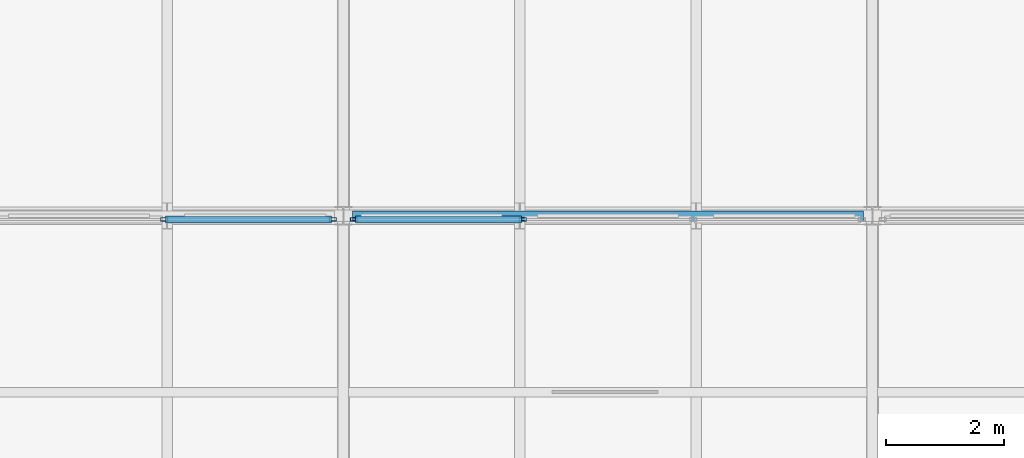
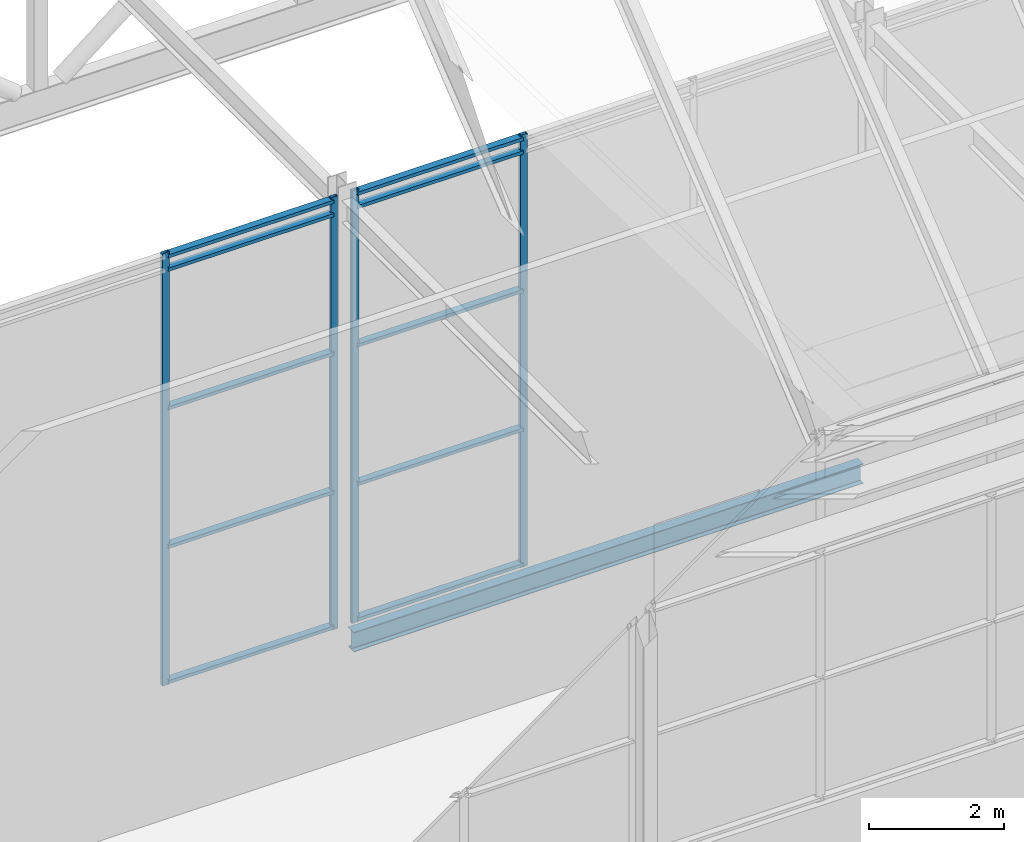
# One storey, part 31 of 144: 14 members, 1 beam, 2 elements without a shape of their own.
"""IFC4 building model written with IfcOpenShell, lengths in metres."""

from ifc_helpers import new_model, si_unit, direction, frame, origin, origin_2d, place, context, subcontext, project, spatial, hollow_rectangle, i_section, extrude, material, layer, layer_set, material_profile, profile_set, type_object, element, aggregate, save


model = new_model("IFC4")

# Units and contexts
model_context = context("Model", 3, precision=1e-05, world=origin(), true_north=direction((0.0, 1.0)))
body_context = subcontext(model_context, "Body", "Model", "MODEL_VIEW")
ifc_project = project(units=[si_unit("LENGTHUNIT", "METRE"), si_unit("AREAUNIT", "SQUARE_METRE"), si_unit("VOLUMEUNIT", "CUBIC_METRE"), si_unit("PLANEANGLEUNIT", "RADIAN"), si_unit("MASSUNIT", "GRAM", prefix="KILO")], contexts=[model_context])

# Site, building, storey
site_placement = place(None, origin())
site = spatial("IfcSite", under=ifc_project, at=site_placement, CompositionType="ELEMENT")
building_placement = place(site_placement, origin())
building = spatial("IfcBuilding", under=site, at=building_placement, Name="Shorebreak Coast Museum", CompositionType="ELEMENT")
storey_placement = place(building_placement, frame((0.0, 0.0, 36.0)))
storey = spatial("IfcBuildingStorey", under=building, at=storey_placement, Name="L06", CompositionType="ELEMENT", Elevation=36.0)

# Beam
ifc_material_1 = material(Name="Steel Grade 300", Category="steel")
ifc_material_profile_1 = material_profile(ifc_material_1, i_section(OverallWidth=0.1708984375, OverallDepth=0.355712890625, WebThickness=0.00732421875, FlangeThickness=0.011474609375, FilletRadius=0.011474609375, at=origin_2d()), Name="360UB50.7")
ifc_profile_set_1 = profile_set([ifc_material_profile_1], Name="Steel Grade 300")
beam_type = type_object("IfcBeamType", Name="Floor girder east-west 360UB50.7", PredefinedType="BEAM", material=ifc_profile_set_1)
beam_placement = place(storey_placement, frame((81.153564453125, 63.0, -0.352783203125), z_axis=(1.0, 0.0, 0.0), x_axis=(0.0, 1.0, 0.0)))
element("IfcBeam", 1, at=beam_placement, inside=storey, type_object=beam_type, Name="Floor girder east-west L06 10H", PredefinedType="BEAM", context=body_context, shape_type="SweptSolid", body=[
    extrude(i_section(OverallWidth=0.1708984375, OverallDepth=0.355712890625, WebThickness=0.00732421875, FlangeThickness=0.011474609375, FilletRadius=0.011474609375, at=origin_2d()), origin(), (0.0, 0.0, 1.0), 8.69287109375),
])

# Curtain wall, members
ifc_material_2 = material(Name="Aluminium", Category="aluminium")
ifc_layer = layer(ifc_material_2, 0.1201171875)
ifc_layer_set = layer_set([ifc_layer], Name="Aluminium")
curtain_wall_type = type_object("IfcCurtainWallType", Name="Atrium fire screen", PredefinedType="NOTDEFINED", material=ifc_layer_set)
curtain_wall_1_placement = place(storey_placement, origin())
curtain_wall_1 = element("IfcCurtainWall", 2, at=curtain_wall_1_placement, inside=storey, type_object=curtain_wall_type, Name="Atrium screen L06 S 80", PredefinedType="NOTDEFINED")
ifc_material_3 = material(Name="Aluminium", Category="aluminium")
ifc_material_profile_2 = material_profile(ifc_material_3, hollow_rectangle(XDim=0.06005859375, YDim=0.1201171875, WallThickness=0.00341796875, at=origin_2d()), Name="AL 120x60 RHS")
ifc_profile_set_2 = profile_set([ifc_material_profile_2], Name="Aluminium")
member_type_1 = type_object("IfcMemberType", Name="Screen mullion 50 x 120", PredefinedType="MULLION", material=ifc_profile_set_2)
member_1_placement = place(storey_placement, frame((77.94873046875, 62.93994140625, 0.0), z_axis=(0.0, 0.0, 1.0), x_axis=(0.0, 1.0, 0.0)))
member_1 = element("IfcMember", 3, at=member_1_placement, type_object=member_type_1, Name="CW6 mullion 3", PredefinedType="MULLION", context=body_context, shape_type="SweptSolid", body=[
    extrude(hollow_rectangle(XDim=0.06005859375, YDim=0.1201171875, WallThickness=0.00341796875, at=origin_2d()), origin(), (0.0, 0.0, 1.0), 7.800048828125),
])
member_2_placement = place(storey_placement, frame((80.821533203125, 62.93994140625, 0.0), z_axis=(0.0, 0.0, 1.0), x_axis=(0.0, 1.0, 0.0)))
member_2 = element("IfcMember", 4, at=member_2_placement, type_object=member_type_1, Name="CW6 mullion 4", PredefinedType="MULLION", context=body_context, shape_type="SweptSolid", body=[
    extrude(hollow_rectangle(XDim=0.06005859375, YDim=0.1201171875, WallThickness=0.00341796875, at=origin_2d()), origin(), (0.0, 0.0, 1.0), 7.800048828125),
])

curtain_wall_2_placement = place(storey_placement, origin())
curtain_wall_2 = element("IfcCurtainWall", 5, at=curtain_wall_2_placement, inside=storey, type_object=curtain_wall_type, Name="Atrium screen L06 S 81", PredefinedType="NOTDEFINED")
member_3_placement = place(storey_placement, frame((81.178466796875, 62.93994140625, 0.0), z_axis=(0.0, 0.0, 1.0), x_axis=(0.0, 1.0, 0.0)))
member_3 = element("IfcMember", 6, at=member_3_placement, type_object=member_type_1, Name="CW4 mullion 1", PredefinedType="MULLION", context=body_context, shape_type="SweptSolid", body=[
    extrude(hollow_rectangle(XDim=0.06005859375, YDim=0.1201171875, WallThickness=0.00341796875, at=origin_2d()), origin(), (0.0, 0.0, 1.0), 7.800048828125),
])
member_4_placement = place(storey_placement, frame((84.05126953125, 62.93994140625, 0.0), z_axis=(0.0, 0.0, 1.0), x_axis=(0.0, 1.0, 0.0)))
member_4 = element("IfcMember", 7, at=member_4_placement, type_object=member_type_1, Name="CW4 mullion 2", PredefinedType="MULLION", context=body_context, shape_type="SweptSolid", body=[
    extrude(hollow_rectangle(XDim=0.06005859375, YDim=0.1201171875, WallThickness=0.00341796875, at=origin_2d()), origin(), (0.0, 0.0, 1.0), 7.800048828125),
])

# Member
ifc_material_4 = material(Name="Aluminium", Category="aluminium")
ifc_material_profile_3 = material_profile(ifc_material_4, hollow_rectangle(XDim=0.1201171875, YDim=0.06005859375, WallThickness=0.00341796875, at=origin_2d()), Name="AL 60x120 RHS")
ifc_profile_set_3 = profile_set([ifc_material_profile_3], Name="Aluminium")
member_type_2 = type_object("IfcMemberType", Name="Screen transom 120 x 50", PredefinedType="USERDEFINED", material=ifc_profile_set_3)
member_5_placement = place(storey_placement, frame((77.973876953125, 62.93994140625, 0.06005859375), z_axis=(1.0, 0.0, 0.0), x_axis=(0.0, 1.0, 0.0)))
member_5 = element("IfcMember", 8, at=member_5_placement, type_object=member_type_2, Name="CW6 transom 3.1", ObjectType="TRANSOM", PredefinedType="USERDEFINED", context=body_context, shape_type="SweptSolid", body=[
    extrude(hollow_rectangle(XDim=0.1201171875, YDim=0.06005859375, WallThickness=0.00341796875, at=origin_2d()), origin(), (0.0, 0.0, 1.0), 2.822509765625),
])

member_6_placement = place(storey_placement, frame((77.973876953125, 62.93994140625, 2.5), z_axis=(1.0, 0.0, 0.0), x_axis=(0.0, 1.0, 0.0)))
member_6 = element("IfcMember", 9, at=member_6_placement, type_object=member_type_2, Name="CW6 transom 3.2", ObjectType="TRANSOM", PredefinedType="USERDEFINED", context=body_context, shape_type="SweptSolid", body=[
    extrude(hollow_rectangle(XDim=0.1201171875, YDim=0.06005859375, WallThickness=0.00341796875, at=origin_2d()), origin(), (0.0, 0.0, 1.0), 2.822509765625),
])

member_7_placement = place(storey_placement, frame((77.973876953125, 62.93994140625, 5.0), z_axis=(1.0, 0.0, 0.0), x_axis=(0.0, 1.0, 0.0)))
member_7 = element("IfcMember", 10, at=member_7_placement, type_object=member_type_2, Name="CW6 transom 3.3", ObjectType="TRANSOM", PredefinedType="USERDEFINED", context=body_context, shape_type="SweptSolid", body=[
    extrude(hollow_rectangle(XDim=0.1201171875, YDim=0.06005859375, WallThickness=0.00341796875, at=origin_2d()), origin(), (0.0, 0.0, 1.0), 2.822509765625),
])

member_8_placement = place(storey_placement, frame((77.973876953125, 62.93994140625, 7.5), z_axis=(1.0, 0.0, 0.0), x_axis=(0.0, 1.0, 0.0)))
member_8 = element("IfcMember", 11, at=member_8_placement, type_object=member_type_2, Name="CW6 transom 3.4", ObjectType="TRANSOM", PredefinedType="USERDEFINED", context=body_context, shape_type="SweptSolid", body=[
    extrude(hollow_rectangle(XDim=0.1201171875, YDim=0.06005859375, WallThickness=0.00341796875, at=origin_2d()), origin(), (0.0, 0.0, 1.0), 2.822509765625),
])

member_9_placement = place(storey_placement, frame((77.973876953125, 62.93994140625, 7.739990234375), z_axis=(1.0, 0.0, 0.0), x_axis=(0.0, 1.0, 0.0)))
member_9 = element("IfcMember", 12, at=member_9_placement, type_object=member_type_2, Name="CW6 transom 3.5", ObjectType="TRANSOM", PredefinedType="USERDEFINED", context=body_context, shape_type="SweptSolid", body=[
    extrude(hollow_rectangle(XDim=0.1201171875, YDim=0.06005859375, WallThickness=0.00341796875, at=origin_2d()), origin(), (0.0, 0.0, 1.0), 2.822509765625),
])

aggregate(curtain_wall_1, [member_1, member_2, member_5, member_6, member_7, member_8, member_9])

member_10_placement = place(storey_placement, frame((81.20361328125, 62.93994140625, 0.06005859375), z_axis=(1.0, 0.0, 0.0), x_axis=(0.0, 1.0, 0.0)))
member_10 = element("IfcMember", 13, at=member_10_placement, type_object=member_type_2, Name="CW4 transom 1.1", ObjectType="TRANSOM", PredefinedType="USERDEFINED", context=body_context, shape_type="SweptSolid", body=[
    extrude(hollow_rectangle(XDim=0.1201171875, YDim=0.06005859375, WallThickness=0.00341796875, at=origin_2d()), origin(), (0.0, 0.0, 1.0), 2.822509765625),
])

member_11_placement = place(storey_placement, frame((81.20361328125, 62.93994140625, 2.5), z_axis=(1.0, 0.0, 0.0), x_axis=(0.0, 1.0, 0.0)))
member_11 = element("IfcMember", 14, at=member_11_placement, type_object=member_type_2, Name="CW4 transom 1.2", ObjectType="TRANSOM", PredefinedType="USERDEFINED", context=body_context, shape_type="SweptSolid", body=[
    extrude(hollow_rectangle(XDim=0.1201171875, YDim=0.06005859375, WallThickness=0.00341796875, at=origin_2d()), origin(), (0.0, 0.0, 1.0), 2.822509765625),
])

member_12_placement = place(storey_placement, frame((81.20361328125, 62.93994140625, 5.0), z_axis=(1.0, 0.0, 0.0), x_axis=(0.0, 1.0, 0.0)))
member_12 = element("IfcMember", 15, at=member_12_placement, type_object=member_type_2, Name="CW4 transom 1.3", ObjectType="TRANSOM", PredefinedType="USERDEFINED", context=body_context, shape_type="SweptSolid", body=[
    extrude(hollow_rectangle(XDim=0.1201171875, YDim=0.06005859375, WallThickness=0.00341796875, at=origin_2d()), origin(), (0.0, 0.0, 1.0), 2.822509765625),
])

member_13_placement = place(storey_placement, frame((81.20361328125, 62.93994140625, 7.5), z_axis=(1.0, 0.0, 0.0), x_axis=(0.0, 1.0, 0.0)))
member_13 = element("IfcMember", 16, at=member_13_placement, type_object=member_type_2, Name="CW4 transom 1.4", ObjectType="TRANSOM", PredefinedType="USERDEFINED", context=body_context, shape_type="SweptSolid", body=[
    extrude(hollow_rectangle(XDim=0.1201171875, YDim=0.06005859375, WallThickness=0.00341796875, at=origin_2d()), origin(), (0.0, 0.0, 1.0), 2.822509765625),
])

member_14_placement = place(storey_placement, frame((81.20361328125, 62.93994140625, 7.739990234375), z_axis=(1.0, 0.0, 0.0), x_axis=(0.0, 1.0, 0.0)))
member_14 = element("IfcMember", 17, at=member_14_placement, type_object=member_type_2, Name="CW4 transom 1.5", ObjectType="TRANSOM", PredefinedType="USERDEFINED", context=body_context, shape_type="SweptSolid", body=[
    extrude(hollow_rectangle(XDim=0.1201171875, YDim=0.06005859375, WallThickness=0.00341796875, at=origin_2d()), origin(), (0.0, 0.0, 1.0), 2.822509765625),
])

aggregate(curtain_wall_2, [member_3, member_4, member_10, member_11, member_12, member_13, member_14])

save(model, "model.ifc")
